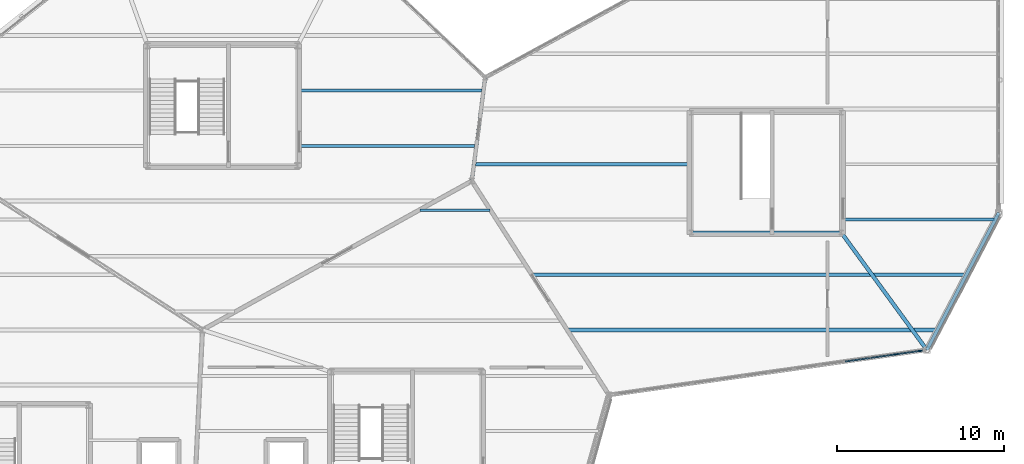
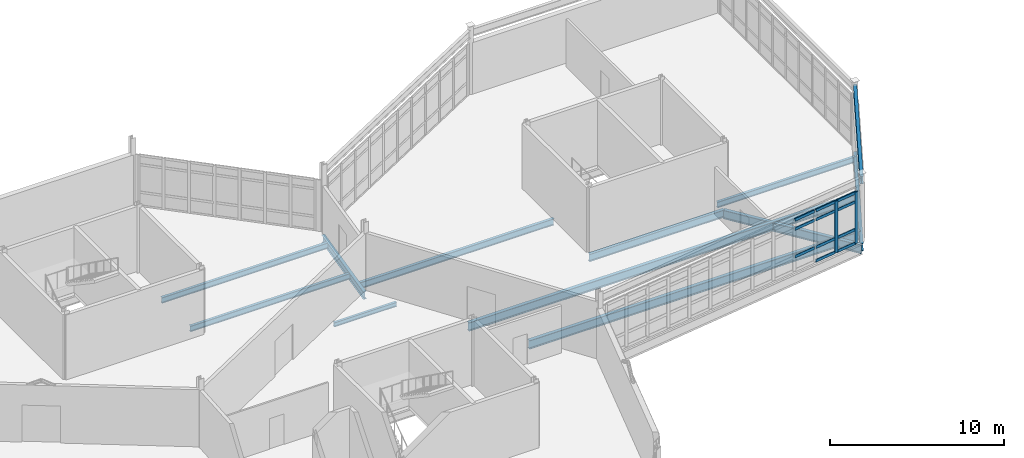
# One storey, part 64 of 114: 13 members, 12 beams, 1 element without a shape of its own.
"""IFC4 building model written with IfcOpenShell, lengths in metres."""

import ifcopenshell
import ifcopenshell.guid

model = None  # the IFC model being written
_history = None  # IfcOwnerHistory: only IFC2X3 demands one
_inside = {}  # id of a spatial element -> (the spatial element, [elements in it])
_under = {}  # id of a project, library or spatial element -> (it, [spatial elements below it])
_declared = {}  # id of a project -> (the project, [libraries it declares])
_typed = {}  # id of a type object -> (the type object, [elements of that type])
_made_of = {}  # id of a material, layer set ... -> (it, [elements and type objects made of it])


def new_model(schema):
    """Start an empty IFC model of exactly this schema.

    Asked for "IFC4X3", IfcOpenShell would pick the latest addendum, in which some entities
    have other attributes; the version numbers below select the first issue.
    IFC2X3 requires an IfcOwnerHistory on every rooted entity: one is made here for all.
    """
    global model, _history
    if schema == "IFC4X3":
        model = ifcopenshell.file(schema_version=(4, 3, 0, 0))
    else:
        model = ifcopenshell.file(schema=schema)
    _inside.clear()
    _under.clear()
    _declared.clear()
    _typed.clear()
    _made_of.clear()
    _history = None
    if model.schema == "IFC2X3":
        org = make("IfcOrganization", Name="unknown")
        user = make(
            "IfcPersonAndOrganization",
            ThePerson=make("IfcPerson", FamilyName="unknown"),
            TheOrganization=org,
        )
        app = make(
            "IfcApplication",
            ApplicationDeveloper=org,
            Version="unknown",
            ApplicationFullName="unknown",
            ApplicationIdentifier="unknown",
        )
        _history = make(
            "IfcOwnerHistory",
            OwningUser=user,
            OwningApplication=app,
            ChangeAction="ADDED",
            CreationDate=0,
        )
    return model


def make(cls, **values):
    """One entity of the class cls with the attributes given. An attribute that is None is left unset."""
    return model.create_entity(
        cls, **{name: value for name, value in values.items() if value is not None}
    )


def rooted(cls, **values):
    """An entity with a GlobalId (a new one), such as an element, a storey or a relation."""
    return make(cls, GlobalId=ifcopenshell.guid.new(), OwnerHistory=_history, **values)


def si_unit(unit_type, name, prefix=None):
    """IfcSIUnit, for example si_unit("LENGTHUNIT", "METRE", prefix="MILLI")."""
    return make("IfcSIUnit", UnitType=unit_type, Prefix=prefix, Name=name)


def assignment(units):
    """IfcUnitAssignment: the units of a project."""
    return None if units is None else make("IfcUnitAssignment", Units=units)


def point(xyz):
    """IfcCartesianPoint."""
    return None if xyz is None else make("IfcCartesianPoint", Coordinates=xyz)


def direction(xyz):
    """IfcDirection."""
    return None if xyz is None else make("IfcDirection", DirectionRatios=xyz)


def frame(location, z_axis=None, x_axis=None):
    """IfcAxis2Placement3D, a coordinate frame: its origin and axes. An axis left out is left unset."""
    return make(
        "IfcAxis2Placement3D",
        Location=point(location),
        Axis=direction(z_axis),
        RefDirection=direction(x_axis),
    )


def frame_2d(location, x_axis=None):
    """IfcAxis2Placement2D, a coordinate frame in the plane: its origin and x axis."""
    return make(
        "IfcAxis2Placement2D", Location=point(location), RefDirection=direction(x_axis)
    )


def origin():
    """The frame at (0, 0, 0) with its axes left unset."""
    return frame((0.0, 0.0, 0.0))


def origin_2d():
    """The frame at (0, 0) in the plane with its x axis left unset."""
    return frame_2d((0.0, 0.0))


def place(relative_to, where):
    """IfcLocalPlacement: puts the frame where relative to a parent placement (None: the world)."""
    return make(
        "IfcLocalPlacement", PlacementRelTo=relative_to, RelativePlacement=where
    )


def context(
    kind, dimensions, precision=None, world=None, true_north=None, identifier=None
):
    """IfcGeometricRepresentationContext, for example the 3D "Model" context."""
    return make(
        "IfcGeometricRepresentationContext",
        ContextIdentifier=identifier,
        ContextType=kind,
        CoordinateSpaceDimension=dimensions,
        Precision=precision,
        WorldCoordinateSystem=world,
        TrueNorth=true_north,
    )


def subcontext(parent, identifier, kind, view, scale=None):
    """IfcGeometricRepresentationSubContext, for example "Body" below "Model"."""
    return make(
        "IfcGeometricRepresentationSubContext",
        ContextIdentifier=identifier,
        ContextType=kind,
        ParentContext=parent,
        TargetScale=scale,
        TargetView=view,
    )


def project(units=None, contexts=None):
    """IfcProject with its units and contexts."""
    return rooted(
        "IfcProject",
        Name="project",
        RepresentationContexts=contexts,
        UnitsInContext=assignment(units),
    )


def spatial(cls, under=None, at=None, **own):
    """A site, building, storey or space (cls), placed at a placement, below another one or the project."""
    s = rooted(cls, ObjectPlacement=at, **own)
    if under is not None:
        _under.setdefault(under.id(), (under, []))[1].append(s)
    return s


def profile(cls, at=None, kind="AREA", **sizes):
    """A parametric profile (cls). Its sizes go by their IFC names, for example OverallWidth=200.0."""
    return make(cls, ProfileType=kind, Position=at, **sizes)


def rectangle(**sizes):
    """IfcRectangleProfileDef."""
    return profile("IfcRectangleProfileDef", **sizes)


def i_section(**sizes):
    """IfcIShapeProfileDef."""
    return profile("IfcIShapeProfileDef", **sizes)


def extrude(swept, where, along, depth):
    """IfcExtrudedAreaSolid: the profile swept, set in the frame where, extruded along a direction by depth."""
    return make(
        "IfcExtrudedAreaSolid",
        SweptArea=swept,
        Position=where,
        ExtrudedDirection=direction(along),
        Depth=depth,
    )


def shape(context_of_items, identifier, shape_type, items):
    """IfcShapeRepresentation: the items that make up one representation, for example the "Body"."""
    return make(
        "IfcShapeRepresentation",
        ContextOfItems=context_of_items,
        RepresentationIdentifier=identifier,
        RepresentationType=shape_type,
        Items=items,
    )


def material(Name=None, Category=None):
    """IfcMaterial."""
    return make("IfcMaterial", Name=Name, Category=Category)


def material_profile(
    of_material, cross_section, Name=None, Category=None, Priority=None
):
    """IfcMaterialProfile: a cross section and its material."""
    return make(
        "IfcMaterialProfile",
        Name=Name,
        Material=of_material,
        Profile=cross_section,
        Priority=Priority,
        Category=Category,
    )


def profile_set(profiles, Name=None, composite=None):
    """IfcMaterialProfileSet."""
    return make(
        "IfcMaterialProfileSet",
        Name=Name,
        MaterialProfiles=profiles,
        CompositeProfile=composite,
    )


def made_of(thing, what):
    """Note that an element or type object is made of a material, layer set ...; save() writes the relation."""
    if what is not None:
        _made_of.setdefault(what.id(), (what, []))[1].append(thing)
    return thing


def type_object(cls, material=None, **own):
    """A type object (cls), such as IfcWallType, which elements share."""
    return made_of(rooted(cls, **own), material)


def element(
    cls,
    number,
    at=None,
    inside=None,
    cuts=None,
    type_object=None,
    material=None,
    context=None,
    identifier="Body",
    shape_type=None,
    held_by="IfcProductDefinitionShape",
    body=None,
    shapes=None,
    **own,
):
    """One element of the class cls, such as IfcWall. Its Tag is "e" and its number.

    at: its placement. inside: the storey or other place that contains it. cuts: it is an
    opening in that element (IfcRelVoidsElement). A single representation is given by context,
    identifier, shape_type and body (its items); several are given by shapes. held_by: the class
    of the entity that holds the representations. save() writes the other relations.
    """
    e = rooted(cls, Tag="e%d" % number, ObjectPlacement=at, **own)
    if body is not None:
        shapes = [shape(context, identifier, shape_type, body)]
    if shapes is not None:
        e.Representation = make(held_by, Representations=shapes)
    if inside is not None:
        _inside.setdefault(inside.id(), (inside, []))[1].append(e)
    if cuts is not None:
        rooted(
            "IfcRelVoidsElement", RelatingBuildingElement=cuts, RelatedOpeningElement=e
        )
    if type_object is not None:
        _typed.setdefault(type_object.id(), (type_object, []))[1].append(e)
    return made_of(e, material)


def aggregate(whole, parts):
    """IfcRelAggregates: a whole, such as a stair, and the parts it consists of."""
    return rooted("IfcRelAggregates", RelatingObject=whole, RelatedObjects=parts)


def save(model, path):
    """Write the relations noted so far, then the file.

    IfcRelAggregates (storeys below a building ...), IfcRelContainedInSpatialStructure (elements
    in a storey), IfcRelDefinesByType, IfcRelAssociatesMaterial and IfcRelDeclares: one each for
    every whole, place, type object, material and project.
    """
    for whole, parts in _under.values():
        aggregate(whole, parts)
    for where, things in _inside.values():
        rooted(
            "IfcRelContainedInSpatialStructure",
            RelatedElements=things,
            RelatingStructure=where,
        )
    for kind, things in _typed.values():
        rooted("IfcRelDefinesByType", RelatedObjects=things, RelatingType=kind)
    for what, things in _made_of.values():
        rooted("IfcRelAssociatesMaterial", RelatedObjects=things, RelatingMaterial=what)
    for by, libraries in _declared.values():
        rooted("IfcRelDeclares", RelatingContext=by, RelatedDefinitions=libraries)
    model.write(path)


model = new_model("IFC4")

# Units and contexts
model_context = context("Model", 3, precision=1e-05, world=origin(), true_north=direction((0.0, 1.0)))
body_context = subcontext(model_context, "Body", "Model", "MODEL_VIEW")
ifc_project = project(units=[si_unit("LENGTHUNIT", "METRE"), si_unit("AREAUNIT", "SQUARE_METRE"), si_unit("VOLUMEUNIT", "CUBIC_METRE"), si_unit("PLANEANGLEUNIT", "RADIAN"), si_unit("MASSUNIT", "GRAM", prefix="KILO")], contexts=[model_context])

# Site, building, storey
site_placement = place(None, origin())
site = spatial("IfcSite", under=ifc_project, at=site_placement, CompositionType="ELEMENT")
building_placement = place(site_placement, origin())
building = spatial("IfcBuilding", under=site, at=building_placement, Name="Tameran Prism Museum", CompositionType="ELEMENT")
storey_placement = place(building_placement, frame((0.0, 0.0, 10.199951171875)))
storey = spatial("IfcBuildingStorey", under=building, at=storey_placement, Name="L02", CompositionType="ELEMENT", Elevation=10.199951171875)

# Beams
ifc_material_1 = material(Name="Steel Grade 300PLUS (300 MPa)", Category="steel")
ifc_material_profile_1 = material_profile(ifc_material_1, i_section(OverallWidth=0.1650390625, OverallDepth=0.303955078125, WebThickness=0.006103515625, FlangeThickness=0.01025390625, FilletRadius=0.011474609375, at=origin_2d()))
ifc_profile_set_1 = profile_set([ifc_material_profile_1])
beam_type_1 = type_object("IfcBeamType", Name="BM-J310B", PredefinedType="JOIST", material=ifc_profile_set_1)
beam_1_placement = place(storey_placement, frame((131.81689453125, 96.25, -0.35205078125), z_axis=(1.0, 0.0, 0.0), x_axis=(0.0, 1.0, 0.0)))
element("IfcBeam", 1, at=beam_1_placement, inside=storey, type_object=beam_type_1, Name="Floor Beam BM-0831", PredefinedType="JOIST", context=body_context, shape_type="SweptSolid", body=[
    extrude(i_section(OverallWidth=0.1650390625, OverallDepth=0.303955078125, WebThickness=0.006103515625, FlangeThickness=0.01025390625, FilletRadius=0.011474609375, at=origin_2d()), origin(), (0.0, 0.0, 1.0), 4.1572265625),
])
ifc_material_2 = material(Name="Steel Grade 300PLUS (300 MPa)", Category="steel")
ifc_material_profile_2 = material_profile(ifc_material_2, i_section(OverallWidth=0.177978515625, OverallDepth=0.403076171875, WebThickness=0.007568359375, FlangeThickness=0.010986328125, FilletRadius=0.011474609375, at=origin_2d()))
ifc_profile_set_2 = profile_set([ifc_material_profile_2])
beam_type_2 = type_object("IfcBeamType", Name="BM-J410B", PredefinedType="JOIST", material=ifc_profile_set_2)
beam_2_placement = place(storey_placement, frame((124.47998046875, 100.10009765625, -0.4013671875), z_axis=(1.0, 0.0, 0.0), x_axis=(0.0, 1.0, 0.0)))
element("IfcBeam", 2, at=beam_2_placement, inside=storey, type_object=beam_type_2, Name="Floor Beam BM-0836", PredefinedType="JOIST", context=body_context, shape_type="SweptSolid", body=[
    extrude(i_section(OverallWidth=0.177978515625, OverallDepth=0.403076171875, WebThickness=0.007568359375, FlangeThickness=0.010986328125, FilletRadius=0.011474609375, at=origin_2d()), origin(), (0.0, 0.0, 1.0), 10.651123046875),
])
beam_3_placement = place(storey_placement, frame((124.47998046875, 103.39990234375, -0.4013671875), z_axis=(1.0, 0.0, 0.0), x_axis=(0.0, 1.0, 0.0)))
element("IfcBeam", 3, at=beam_3_placement, inside=storey, type_object=beam_type_2, Name="Floor Beam BM-0838", PredefinedType="JOIST", context=body_context, shape_type="SweptSolid", body=[
    extrude(i_section(OverallWidth=0.177978515625, OverallDepth=0.403076171875, WebThickness=0.007568359375, FlangeThickness=0.010986328125, FilletRadius=0.011474609375, at=origin_2d()), origin(), (0.0, 0.0, 1.0), 11.075927734375),
])
beam_4_placement = place(storey_placement, frame((156.97998046875, 95.699951171875, -0.4013671875), z_axis=(1.0, 0.0, 0.0), x_axis=(0.0, 1.0, 0.0)))
element("IfcBeam", 4, at=beam_4_placement, inside=storey, type_object=beam_type_2, Name="Floor Beam BM-0844", PredefinedType="JOIST", context=body_context, shape_type="SweptSolid", body=[
    extrude(i_section(OverallWidth=0.177978515625, OverallDepth=0.403076171875, WebThickness=0.007568359375, FlangeThickness=0.010986328125, FilletRadius=0.011474609375, at=origin_2d()), origin(), (0.0, 0.0, 1.0), 9.1650390625),
])
ifc_material_3 = material(Name="Steel Grade 300PLUS (300 MPa)", Category="steel")
ifc_material_profile_3 = material_profile(ifc_material_3, i_section(OverallWidth=0.18994140625, OverallDepth=0.4541015625, WebThickness=0.008544921875, FlangeThickness=0.0126953125, FilletRadius=0.011474609375, at=origin_2d()))
ifc_profile_set_3 = profile_set([ifc_material_profile_3])
beam_type_3 = type_object("IfcBeamType", Name="BM-J460B", PredefinedType="JOIST", material=ifc_profile_set_3)
beam_5_placement = place(storey_placement, frame((135.069091796875, 99.0, -0.427001953125), z_axis=(1.0, 0.0, 0.0), x_axis=(0.0, 1.0, 0.0)))
element("IfcBeam", 5, at=beam_5_placement, inside=storey, type_object=beam_type_3, Name="Floor Beam BM-0845", PredefinedType="JOIST", context=body_context, shape_type="SweptSolid", body=[
    extrude(i_section(OverallWidth=0.18994140625, OverallDepth=0.4541015625, WebThickness=0.008544921875, FlangeThickness=0.0126953125, FilletRadius=0.011474609375, at=origin_2d()), origin(), (0.0, 0.0, 1.0), 12.950927734375),
])
ifc_material_4 = material(Name="Steel Grade 300PLUS (300 MPa)", Category="steel")
ifc_material_profile_4 = material_profile(ifc_material_4, i_section(OverallWidth=0.208984375, OverallDepth=0.532958984375, WebThickness=0.01025390625, FlangeThickness=0.015625, FilletRadius=0.013916015625, at=origin_2d()))
ifc_profile_set_4 = profile_set([ifc_material_profile_4])
beam_type_4 = type_object("IfcBeamType", Name="BM-SP530A", PredefinedType="SPANDREL", material=ifc_profile_set_4)
beam_6_placement = place(storey_placement, frame((162.10009765625, 87.89990234375, -0.466552734375), z_axis=(0.464385293852, 0.885633275602, 0.0), x_axis=(-0.885633275602, 0.464385293852, 0.0)))
element("IfcBeam", 6, at=beam_6_placement, inside=storey, type_object=beam_type_4, Name="Perimeter Spandrel SP-0670", PredefinedType="SPANDREL", context=body_context, shape_type="SweptSolid", body=[
    extrude(i_section(OverallWidth=0.208984375, OverallDepth=0.532958984375, WebThickness=0.01025390625, FlangeThickness=0.015625, FilletRadius=0.013916015625, at=origin_2d()), origin(), (0.0, 0.0, 1.0), 9.259033203125),
])
ifc_material_5 = material(Name="Steel Grade 300PLUS (300 MPa)", Category="steel")
ifc_material_profile_5 = material_profile(ifc_material_5, i_section(OverallWidth=0.208984375, OverallDepth=0.528076171875, WebThickness=0.009521484375, FlangeThickness=0.01318359375, FilletRadius=0.013916015625, at=origin_2d()))
ifc_profile_set_5 = profile_set([ifc_material_profile_5])
beam_type_5 = type_object("IfcBeamType", Name="BM-SP530B", PredefinedType="SPANDREL", material=ifc_profile_set_5)
beam_7_placement = place(storey_placement, frame((134.89990234375, 98.0, -0.4638671875), z_axis=(0.127980011854, 0.991776747341, 0.0), x_axis=(-0.991776747341, 0.127980011854, 0.0)))
element("IfcBeam", 7, at=beam_7_placement, inside=storey, type_object=beam_type_5, Name="Perimeter Spandrel SP-0664", PredefinedType="SPANDREL", context=body_context, shape_type="SweptSolid", body=[
    extrude(i_section(OverallWidth=0.208984375, OverallDepth=0.528076171875, WebThickness=0.009521484375, FlangeThickness=0.01318359375, FilletRadius=0.013916015625, at=origin_2d()), origin(), (0.0, 0.0, 1.0), 6.25146484375),
])
beam_8_placement = place(storey_placement, frame((162.10009765625, 87.89990234375, 4.256103515625), z_axis=(0.464385293852, 0.885633275602, 0.0), x_axis=(-0.885633275602, 0.464385293852, 0.0)))
element("IfcBeam", 8, at=beam_8_placement, inside=storey, type_object=beam_type_5, Name="Roof Ring Beam RB-0675", PredefinedType="SPANDREL", context=body_context, shape_type="SweptSolid", body=[
    extrude(i_section(OverallWidth=0.208984375, OverallDepth=0.528076171875, WebThickness=0.009521484375, FlangeThickness=0.01318359375, FilletRadius=0.013916015625, at=origin_2d()), origin(), (0.0, 0.0, 1.0), 9.259033203125),
])
beam_9_placement = place(storey_placement, frame((148.02001953125, 94.919921875, -0.50390625), z_axis=(1.0, 0.0, 0.0), x_axis=(0.0, 1.0, 0.0)))
element("IfcBeam", 9, at=beam_9_placement, inside=storey, type_object=beam_type_5, Name="Core Ring Beam CTB-0793", PredefinedType="SPANDREL", context=body_context, shape_type="SweptSolid", body=[
    extrude(i_section(OverallWidth=0.208984375, OverallDepth=0.528076171875, WebThickness=0.009521484375, FlangeThickness=0.01318359375, FilletRadius=0.013916015625, at=origin_2d()), origin(), (0.0, 0.0, 1.0), 8.9599609375),
])
ifc_material_6 = material(Name="Steel Grade 300PLUS (300 MPa)", Category="steel")
ifc_material_profile_6 = material_profile(ifc_material_6, i_section(OverallWidth=0.22900390625, OverallDepth=0.612060546875, WebThickness=0.011962890625, FlangeThickness=0.01953125, FilletRadius=0.013916015625, at=origin_2d()))
ifc_profile_set_6 = profile_set([ifc_material_profile_6])
beam_type_6 = type_object("IfcBeamType", Name="BM-UB610A", PredefinedType="BEAM", material=ifc_profile_set_6)
beam_10_placement = place(storey_placement, frame((156.97998046875, 94.919921875, -0.56005859375), z_axis=(0.589273812412, -0.807933397011, 0.0), x_axis=(0.807933397011, 0.589273812412, 0.0)))
element("IfcBeam", 10, at=beam_10_placement, inside=storey, type_object=beam_type_6, Name="Frame Tie Girder FG-1430", PredefinedType="BEAM", context=body_context, shape_type="SweptSolid", body=[
    extrude(i_section(OverallWidth=0.22900390625, OverallDepth=0.612060546875, WebThickness=0.011962890625, FlangeThickness=0.01953125, FilletRadius=0.013916015625, at=origin_2d()), origin(), (0.0, 0.0, 1.0), 8.68896484375),
])
ifc_material_7 = material(Name="Steel Grade 300PLUS (300 MPa)", Category="steel")
ifc_material_profile_7 = material_profile(ifc_material_7, i_section(OverallWidth=0.22802734375, OverallDepth=0.60693359375, WebThickness=0.01123046875, FlangeThickness=0.017333984375, FilletRadius=0.013916015625, at=origin_2d()))
ifc_profile_set_7 = profile_set([ifc_material_profile_7])
beam_type_7 = type_object("IfcBeamType", Name="BM-UB610B", PredefinedType="BEAM", material=ifc_profile_set_7)
beam_11_placement = place(storey_placement, frame((140.64892578125, 89.10009765625, -0.50341796875), z_axis=(1.0, 0.0, 0.0), x_axis=(0.0, 1.0, 0.0)))
element("IfcBeam", 11, at=beam_11_placement, inside=storey, type_object=beam_type_7, Name="Floor Beam BM-0841", PredefinedType="BEAM", context=body_context, shape_type="SweptSolid", body=[
    extrude(i_section(OverallWidth=0.22802734375, OverallDepth=0.60693359375, WebThickness=0.01123046875, FlangeThickness=0.017333984375, FilletRadius=0.013916015625, at=origin_2d()), origin(), (0.0, 0.0, 1.0), 22.03515625),
])
beam_12_placement = place(storey_placement, frame((138.534912109375, 92.39990234375, -0.50341796875), z_axis=(1.0, 0.0, 0.0), x_axis=(0.0, 1.0, 0.0)))
element("IfcBeam", 12, at=beam_12_placement, inside=storey, type_object=beam_type_7, Name="Floor Beam BM-0842", PredefinedType="BEAM", context=body_context, shape_type="SweptSolid", body=[
    extrude(i_section(OverallWidth=0.22802734375, OverallDepth=0.60693359375, WebThickness=0.01123046875, FlangeThickness=0.017333984375, FilletRadius=0.013916015625, at=origin_2d()), origin(), (0.0, 0.0, 1.0), 25.880126953125),
])

# Curtain wall, members
ifc_material_8 = material(Name="Anodised Aluminium 6063-T6 and Cyclone Solar Glass", Category="aluminium")
curtain_wall_type = type_object("IfcCurtainWallType", Name="CW-FAC-1843x362", PredefinedType="USERDEFINED", material=ifc_material_8)
curtain_wall_placement = place(storey_placement, origin())
curtain_wall = element("IfcCurtainWall", 13, at=curtain_wall_placement, inside=storey, type_object=curtain_wall_type, Name="Unitised Curtain Wall CW-102", ObjectType="UNITISED CURTAIN WALL", PredefinedType="USERDEFINED")
ifc_material_9 = material(Name="Anodised Aluminium Alloy 6063-T6", Category="aluminium")
ifc_material_profile_8 = material_profile(ifc_material_9, rectangle(XDim=0.080078125, YDim=0.219970703125, at=origin_2d()))
ifc_profile_set_8 = profile_set([ifc_material_profile_8])
member_type_1 = type_object("IfcMemberType", Name="CW-MUL-D", PredefinedType="MULLION", material=ifc_profile_set_8)
member_1_placement = place(storey_placement, frame((161.71337890625, 87.845458984375, 0.0), z_axis=(0.0, 0.0, 1.0), x_axis=(0.1407452685, -0.990045842067, 0.0)))
member_1 = element("IfcMember", 14, at=member_1_placement, type_object=member_type_1, Name="CW-102 mullion 1", PredefinedType="MULLION", context=body_context, shape_type="SweptSolid", body=[
    extrude(rectangle(XDim=0.080078125, YDim=0.219970703125, at=origin_2d()), origin(), (0.0, 0.0, 1.0), 3.6201171875),
])
member_2_placement = place(storey_placement, frame((160.232421875, 87.634765625, 0.0), z_axis=(0.0, 0.0, 1.0), x_axis=(0.1407452685, -0.990045842067, 0.0)))
member_2 = element("IfcMember", 15, at=member_2_placement, type_object=member_type_1, Name="CW-102 mullion 2", PredefinedType="MULLION", context=body_context, shape_type="SweptSolid", body=[
    extrude(rectangle(XDim=0.080078125, YDim=0.219970703125, at=origin_2d()), origin(), (0.0, 0.0, 1.0), 3.6201171875),
])
ifc_material_10 = material(Name="Anodised Aluminium Alloy 6063-T6", Category="aluminium")
ifc_material_profile_9 = material_profile(ifc_material_10, rectangle(XDim=0.080078125, YDim=0.195068359375, at=origin_2d()))
ifc_profile_set_9 = profile_set([ifc_material_profile_9])
member_type_2 = type_object("IfcMemberType", Name="CW-TRN-D", PredefinedType="USERDEFINED", material=ifc_profile_set_9)
member_3_placement = place(storey_placement, frame((161.673828125, 87.83984375, 0.0400390625), z_axis=(-0.990028650619, -0.140866145517, 0.0), x_axis=(0.140866145517, -0.990028650619, 0.0)))
member_3 = element("IfcMember", 16, at=member_3_placement, type_object=member_type_2, Name="CW-102 transom 1.1", ObjectType="TRANSOM", PredefinedType="USERDEFINED", context=body_context, shape_type="SweptSolid", body=[
    extrude(rectangle(XDim=0.080078125, YDim=0.195068359375, at=origin_2d()), origin(), (0.0, 0.0, 1.0), 1.416015625),
])
member_4_placement = place(storey_placement, frame((161.673828125, 87.83984375, 1.0), z_axis=(-0.990028650619, -0.140866145517, 0.0), x_axis=(0.140866145517, -0.990028650619, 0.0)))
member_4 = element("IfcMember", 17, at=member_4_placement, type_object=member_type_2, Name="CW-102 transom 1.2", ObjectType="TRANSOM", PredefinedType="USERDEFINED", context=body_context, shape_type="SweptSolid", body=[
    extrude(rectangle(XDim=0.080078125, YDim=0.195068359375, at=origin_2d()), origin(), (0.0, 0.0, 1.0), 1.416015625),
])
member_5_placement = place(storey_placement, frame((161.673828125, 87.83984375, 2.93994140625), z_axis=(-0.990028650619, -0.140866145517, 0.0), x_axis=(0.140866145517, -0.990028650619, 0.0)))
member_5 = element("IfcMember", 18, at=member_5_placement, type_object=member_type_2, Name="CW-102 transom 1.3", ObjectType="TRANSOM", PredefinedType="USERDEFINED", context=body_context, shape_type="SweptSolid", body=[
    extrude(rectangle(XDim=0.080078125, YDim=0.195068359375, at=origin_2d()), origin(), (0.0, 0.0, 1.0), 1.416015625),
])
member_6_placement = place(storey_placement, frame((161.673828125, 87.83984375, 3.580078125), z_axis=(-0.990028650619, -0.140866145517, 0.0), x_axis=(0.140866145517, -0.990028650619, 0.0)))
member_6 = element("IfcMember", 19, at=member_6_placement, type_object=member_type_2, Name="CW-102 transom 1.4", ObjectType="TRANSOM", PredefinedType="USERDEFINED", context=body_context, shape_type="SweptSolid", body=[
    extrude(rectangle(XDim=0.080078125, YDim=0.195068359375, at=origin_2d()), origin(), (0.0, 0.0, 1.0), 1.416015625),
])
member_7_placement = place(storey_placement, frame((160.19287109375, 87.629150390625, 0.0400390625), z_axis=(-0.990053195139, -0.140693535014, 0.0), x_axis=(0.140693535014, -0.990053195139, 0.0)))
member_7 = element("IfcMember", 20, at=member_7_placement, type_object=member_type_2, Name="CW-102 transom 2.1", ObjectType="TRANSOM", PredefinedType="USERDEFINED", context=body_context, shape_type="SweptSolid", body=[
    extrude(rectangle(XDim=0.080078125, YDim=0.195068359375, at=origin_2d()), origin(), (0.0, 0.0, 1.0), 1.455810546875),
])
member_8_placement = place(storey_placement, frame((160.19287109375, 87.629150390625, 1.0), z_axis=(-0.990053195139, -0.140693535014, 0.0), x_axis=(0.140693535014, -0.990053195139, 0.0)))
member_8 = element("IfcMember", 21, at=member_8_placement, type_object=member_type_2, Name="CW-102 transom 2.2", ObjectType="TRANSOM", PredefinedType="USERDEFINED", context=body_context, shape_type="SweptSolid", body=[
    extrude(rectangle(XDim=0.080078125, YDim=0.195068359375, at=origin_2d()), origin(), (0.0, 0.0, 1.0), 1.455810546875),
])
member_9_placement = place(storey_placement, frame((160.19287109375, 87.629150390625, 2.93994140625), z_axis=(-0.990053195139, -0.140693535014, 0.0), x_axis=(0.140693535014, -0.990053195139, 0.0)))
member_9 = element("IfcMember", 22, at=member_9_placement, type_object=member_type_2, Name="CW-102 transom 2.3", ObjectType="TRANSOM", PredefinedType="USERDEFINED", context=body_context, shape_type="SweptSolid", body=[
    extrude(rectangle(XDim=0.080078125, YDim=0.195068359375, at=origin_2d()), origin(), (0.0, 0.0, 1.0), 1.455810546875),
])
member_10_placement = place(storey_placement, frame((160.19287109375, 87.629150390625, 3.580078125), z_axis=(-0.990053195139, -0.140693535014, 0.0), x_axis=(0.140693535014, -0.990053195139, 0.0)))
member_10 = element("IfcMember", 23, at=member_10_placement, type_object=member_type_2, Name="CW-102 transom 2.4", ObjectType="TRANSOM", PredefinedType="USERDEFINED", context=body_context, shape_type="SweptSolid", body=[
    extrude(rectangle(XDim=0.080078125, YDim=0.195068359375, at=origin_2d()), origin(), (0.0, 0.0, 1.0), 1.455810546875),
])
member_11_placement = place(storey_placement, frame((158.672119140625, 87.4130859375, 1.0), z_axis=(-0.990026495634, -0.140881290248, 0.0), x_axis=(0.140881290248, -0.990026495634, 0.0)))
member_11 = element("IfcMember", 24, at=member_11_placement, type_object=member_type_2, Name="CW-102 transom 3.2", ObjectType="TRANSOM", PredefinedType="USERDEFINED", context=body_context, shape_type="SweptSolid", body=[
    extrude(rectangle(XDim=0.080078125, YDim=0.195068359375, at=origin_2d()), origin(), (0.0, 0.0, 1.0), 1.45556640625),
])
member_12_placement = place(storey_placement, frame((158.672119140625, 87.4130859375, 2.93994140625), z_axis=(-0.990026495634, -0.140881290248, 0.0), x_axis=(0.140881290248, -0.990026495634, 0.0)))
member_12 = element("IfcMember", 25, at=member_12_placement, type_object=member_type_2, Name="CW-102 transom 3.3", ObjectType="TRANSOM", PredefinedType="USERDEFINED", context=body_context, shape_type="SweptSolid", body=[
    extrude(rectangle(XDim=0.080078125, YDim=0.195068359375, at=origin_2d()), origin(), (0.0, 0.0, 1.0), 1.45556640625),
])
member_13_placement = place(storey_placement, frame((158.672119140625, 87.4130859375, 3.580078125), z_axis=(-0.990026495634, -0.140881290248, 0.0), x_axis=(0.140881290248, -0.990026495634, 0.0)))
member_13 = element("IfcMember", 26, at=member_13_placement, type_object=member_type_2, Name="CW-102 transom 3.4", ObjectType="TRANSOM", PredefinedType="USERDEFINED", context=body_context, shape_type="SweptSolid", body=[
    extrude(rectangle(XDim=0.080078125, YDim=0.195068359375, at=origin_2d()), origin(), (0.0, 0.0, 1.0), 1.45556640625),
])
aggregate(curtain_wall, [member_1, member_2, member_3, member_4, member_5, member_6, member_7, member_8, member_9, member_10, member_11, member_12, member_13])

save(model, "model.ifc")
